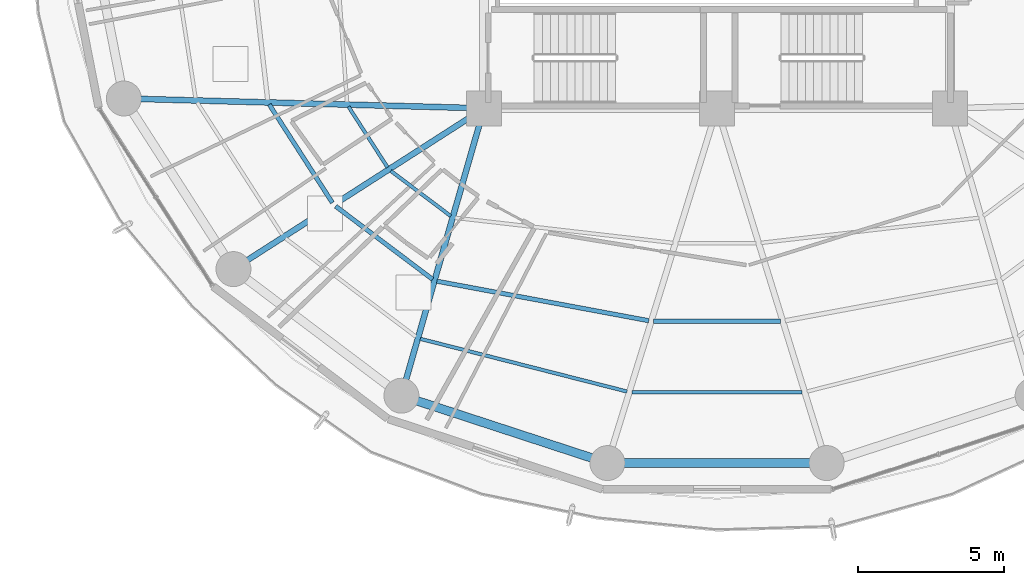
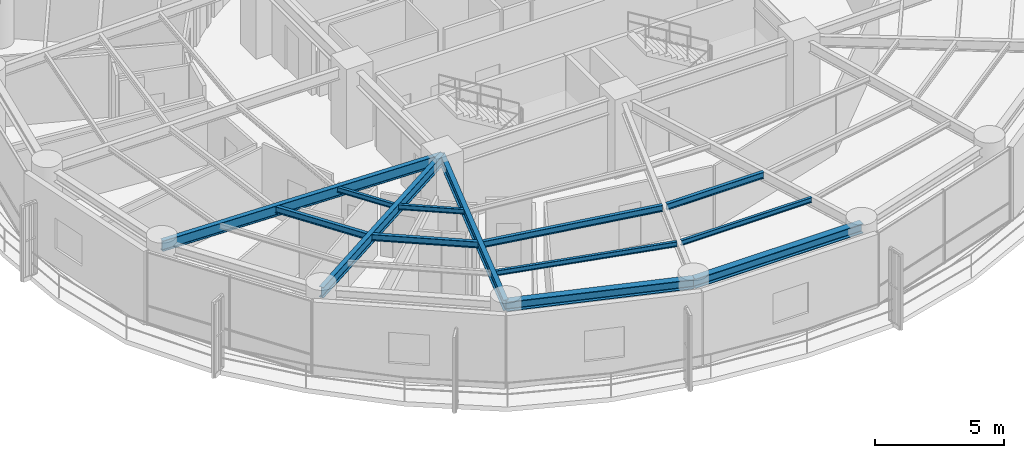
# One storey, part 3 of 27: 13 beams.
"""IFC4 building model written with IfcOpenShell, lengths in metres."""

from ifc_helpers import new_model, si_unit, direction, frame, origin, origin_2d, place, context, subcontext, project, spatial, i_section, extrude, material, material_profile, profile_set, type_object, element, save


model = new_model("IFC4")

# Units and contexts
model_context = context("Model", 3, precision=1e-05, world=origin(), true_north=direction((0.0, 1.0)))
body_context = subcontext(model_context, "Body", "Model", "MODEL_VIEW")
ifc_project = project(units=[si_unit("LENGTHUNIT", "METRE"), si_unit("AREAUNIT", "SQUARE_METRE"), si_unit("VOLUMEUNIT", "CUBIC_METRE"), si_unit("PLANEANGLEUNIT", "RADIAN"), si_unit("MASSUNIT", "GRAM", prefix="KILO")], contexts=[model_context])

# Site, building, storey
site_placement = place(None, origin())
site = spatial("IfcSite", under=ifc_project, at=site_placement, CompositionType="ELEMENT")
building_placement = place(site_placement, origin())
building = spatial("IfcBuilding", under=site, at=building_placement, Name="Kelanora Arch Commons", CompositionType="ELEMENT")
storey_placement = place(building_placement, frame((0.0, 0.0, 165.60009765625)))
storey = spatial("IfcBuildingStorey", under=building, at=storey_placement, Name="L42", CompositionType="ELEMENT", Elevation=165.60009765625)

# Beams
ifc_material = material(Name="Steel S355", Category="steel")
ifc_material_profile_1 = material_profile(ifc_material, i_section(OverallWidth=0.14990234375, OverallDepth=0.300048828125, WebThickness=0.007080078125, FlangeThickness=0.0107421875, FilletRadius=0.014892578125, at=origin_2d()), Name="IPE300")
ifc_profile_set_1 = profile_set([ifc_material_profile_1], Name="Steel S355")
beam_type_1 = type_object("IfcBeamType", Name="BM-JST-01", PredefinedType="JOIST", material=ifc_profile_set_1)
beam_1_placement = place(storey_placement, frame((58.622314453125, 51.130859375, 3.33984375), z_axis=(0.540594434398, -0.841283339606, 0.0), x_axis=(0.841283339606, 0.540594434398, 0.0)))
element("IfcBeam", 1, at=beam_1_placement, inside=storey, type_object=beam_type_1, Name="Secondary Chord Joist BJB-20 L42", PredefinedType="JOIST", context=body_context, shape_type="SweptSolid", body=[
    extrude(i_section(OverallWidth=0.14990234375, OverallDepth=0.300048828125, WebThickness=0.007080078125, FlangeThickness=0.0107421875, FilletRadius=0.014892578125, at=origin_2d()), origin(), (0.0, 0.0, 1.0), 4.008544921875),
])
beam_2_placement = place(storey_placement, frame((60.9033203125, 47.635986328125, 3.33984375), z_axis=(0.798463547891, -0.602043156833, 0.0), x_axis=(0.602043156833, 0.798463547891, 0.0)))
element("IfcBeam", 2, at=beam_2_placement, inside=storey, type_object=beam_type_1, Name="Secondary Chord Joist BJB-22 L42", PredefinedType="JOIST", context=body_context, shape_type="SweptSolid", body=[
    extrude(i_section(OverallWidth=0.14990234375, OverallDepth=0.300048828125, WebThickness=0.007080078125, FlangeThickness=0.0107421875, FilletRadius=0.014892578125, at=origin_2d()), origin(), (0.0, 0.0, 1.0), 4.163818359375),
])
beam_3_placement = place(storey_placement, frame((64.379638671875, 45.062255859375, 3.33984375), z_axis=(0.983054256126, -0.183314837134, 0.0), x_axis=(0.183314837134, 0.983054256126, 0.0)))
element("IfcBeam", 3, at=beam_3_placement, inside=storey, type_object=beam_type_1, Name="Secondary Chord Joist BJB-24 L42", PredefinedType="JOIST", context=body_context, shape_type="SweptSolid", body=[
    extrude(i_section(OverallWidth=0.14990234375, OverallDepth=0.300048828125, WebThickness=0.007080078125, FlangeThickness=0.0107421875, FilletRadius=0.014892578125, at=origin_2d()), origin(), (0.0, 0.0, 1.0), 7.403564453125),
])
beam_4_placement = place(storey_placement, frame((71.826171875, 43.689453125, 3.33984375), z_axis=(1.0, 0.0, 0.0), x_axis=(0.0, 1.0, 0.0)))
element("IfcBeam", 4, at=beam_4_placement, inside=storey, type_object=beam_type_1, Name="Secondary Chord Joist BJB-26 L42", PredefinedType="JOIST", context=body_context, shape_type="SweptSolid", body=[
    extrude(i_section(OverallWidth=0.14990234375, OverallDepth=0.300048828125, WebThickness=0.007080078125, FlangeThickness=0.0107421875, FilletRadius=0.014892578125, at=origin_2d()), origin(), (0.0, 0.0, 1.0), 4.34765625),
])
ifc_material_profile_2 = material_profile(ifc_material, i_section(OverallWidth=0.1201171875, OverallDepth=0.239990234375, WebThickness=0.006103515625, FlangeThickness=0.009765625, FilletRadius=0.014892578125, at=origin_2d()), Name="IPE240")
ifc_profile_set_2 = profile_set([ifc_material_profile_2], Name="Steel S355")
beam_type_2 = type_object("IfcBeamType", Name="BM-JST-02", PredefinedType="JOIST", material=ifc_profile_set_2)
beam_5_placement = place(storey_placement, frame((61.344482421875, 51.056640625, 3.369873046875), z_axis=(0.540583174025, -0.841290575224, 0.0), x_axis=(0.841290575224, 0.540583174025, 0.0)))
element("IfcBeam", 5, at=beam_5_placement, inside=storey, type_object=beam_type_2, Name="Secondary Chord Joist BJA-20 L42", PredefinedType="JOIST", context=body_context, shape_type="SweptSolid", body=[
    extrude(i_section(OverallWidth=0.1201171875, OverallDepth=0.239990234375, WebThickness=0.006103515625, FlangeThickness=0.009765625, FilletRadius=0.014892578125, at=origin_2d()), origin(), (0.0, 0.0, 1.0), 2.476318359375),
])
beam_6_placement = place(storey_placement, frame((62.796875, 48.8505859375, 3.369873046875), z_axis=(0.798484118859, -0.602015873487, 0.0), x_axis=(0.602015873487, 0.798484118859, 0.0)))
element("IfcBeam", 6, at=beam_6_placement, inside=storey, type_object=beam_type_2, Name="Secondary Chord Joist BJA-22 L42", PredefinedType="JOIST", context=body_context, shape_type="SweptSolid", body=[
    extrude(i_section(OverallWidth=0.1201171875, OverallDepth=0.239990234375, WebThickness=0.006103515625, FlangeThickness=0.009765625, FilletRadius=0.014892578125, at=origin_2d()), origin(), (0.0, 0.0, 1.0), 2.57470703125),
])
beam_7_placement = place(storey_placement, frame((63.810302734375, 43.082763671875, 3.369873046875), z_axis=(0.96900232943, -0.247051584815, 0.0), x_axis=(0.247051584815, 0.96900232943, 0.0)))
element("IfcBeam", 7, at=beam_7_placement, inside=storey, type_object=beam_type_2, Name="Secondary Chord Joist BJC-24 L42", PredefinedType="JOIST", context=body_context, shape_type="SweptSolid", body=[
    extrude(i_section(OverallWidth=0.1201171875, OverallDepth=0.239990234375, WebThickness=0.006103515625, FlangeThickness=0.009765625, FilletRadius=0.014892578125, at=origin_2d()), origin(), (0.0, 0.0, 1.0), 7.32275390625),
])
beam_8_placement = place(storey_placement, frame((71.0732421875, 41.252685546875, 3.369873046875), z_axis=(1.0, 0.0, 0.0), x_axis=(0.0, 1.0, 0.0)))
element("IfcBeam", 8, at=beam_8_placement, inside=storey, type_object=beam_type_2, Name="Secondary Chord Joist BJC-26 L42", PredefinedType="JOIST", context=body_context, shape_type="SweptSolid", body=[
    extrude(i_section(OverallWidth=0.1201171875, OverallDepth=0.239990234375, WebThickness=0.006103515625, FlangeThickness=0.009765625, FilletRadius=0.014892578125, at=origin_2d()), origin(), (0.0, 0.0, 1.0), 5.853515625),
])
ifc_material_profile_3 = material_profile(ifc_material, i_section(OverallWidth=0.199951171875, OverallDepth=0.5, WebThickness=0.01025390625, FlangeThickness=0.01611328125, FilletRadius=0.02099609375, at=origin_2d()), Name="IPE500")
ifc_profile_set_3 = profile_set([ifc_material_profile_3], Name="Steel S355")
beam_type_3 = type_object("IfcBeamType", Name="BM-RAD-Z3", PredefinedType="BEAM", material=ifc_profile_set_3)
beam_9_placement = place(storey_placement, frame((66.0, 51.0, 3.239990234375), z_axis=(-0.999628374924, 0.027260081577, 0.0), x_axis=(-0.027260081577, -0.999628374924, 0.0)))
element("IfcBeam", 9, at=beam_9_placement, inside=storey, type_object=beam_type_3, Name="Radial Floor Girder BR-20 L42", PredefinedType="BEAM", context=body_context, shape_type="SweptSolid", body=[
    extrude(i_section(OverallWidth=0.199951171875, OverallDepth=0.5, WebThickness=0.01025390625, FlangeThickness=0.01611328125, FilletRadius=0.02099609375, at=origin_2d()), origin(), (0.0, 0.0, 1.0), 12.377197265625),
])
beam_10_placement = place(storey_placement, frame((66.0, 51.0, 3.239990234375), z_axis=(-0.841719465748, -0.539915123868, 0.0), x_axis=(0.539915123868, -0.841719465748, 0.0)))
element("IfcBeam", 10, at=beam_10_placement, inside=storey, type_object=beam_type_3, Name="Radial Floor Girder BR-22 L42", PredefinedType="BEAM", context=body_context, shape_type="SweptSolid", body=[
    extrude(i_section(OverallWidth=0.199951171875, OverallDepth=0.5, WebThickness=0.01025390625, FlangeThickness=0.01611328125, FilletRadius=0.02099609375, at=origin_2d()), origin(), (0.0, 0.0, 1.0), 10.2265625),
])
beam_11_placement = place(storey_placement, frame((66.0, 51.0, 3.239990234375), z_axis=(-0.276525880065, -0.961006471182, 0.0), x_axis=(0.961006471182, -0.276525880065, 0.0)))
element("IfcBeam", 11, at=beam_11_placement, inside=storey, type_object=beam_type_3, Name="Radial Floor Girder BR-24 L42", PredefinedType="BEAM", context=body_context, shape_type="SweptSolid", body=[
    extrude(i_section(OverallWidth=0.199951171875, OverallDepth=0.5, WebThickness=0.01025390625, FlangeThickness=0.01611328125, FilletRadius=0.02099609375, at=origin_2d()), origin(), (0.0, 0.0, 1.0), 10.2705078125),
])
ifc_material_profile_4 = material_profile(ifc_material, i_section(OverallWidth=0.300048828125, OverallDepth=0.449951171875, WebThickness=0.013916015625, FlangeThickness=0.02587890625, FilletRadius=0.027099609375, at=origin_2d()), Name="HEB450")
ifc_profile_set_4 = profile_set([ifc_material_profile_4], Name="Steel S355")
beam_type_4 = type_object("IfcBeamType", Name="BM-SPN-Z3", PredefinedType="SPANDREL", material=ifc_profile_set_4)
beam_12_placement = place(storey_placement, frame((63.159912109375, 41.1298828125, 3.264892578125), z_axis=(0.950461975786, -0.310840847676, 0.0), x_axis=(0.310840847676, 0.950461975786, 0.0)))
element("IfcBeam", 12, at=beam_12_placement, inside=storey, type_object=beam_type_4, Name="Perimeter Spandrel Beam BS-24 L42", PredefinedType="SPANDREL", context=body_context, shape_type="SweptSolid", body=[
    extrude(i_section(OverallWidth=0.300048828125, OverallDepth=0.449951171875, WebThickness=0.013916015625, FlangeThickness=0.02587890625, FilletRadius=0.027099609375, at=origin_2d()), origin(), (0.0, 0.0, 1.0), 7.444091796875),
])
beam_13_placement = place(storey_placement, frame((70.2353515625, 38.81591796875, 3.264892578125), z_axis=(1.0, 0.0, 0.0), x_axis=(0.0, 1.0, 0.0)))
element("IfcBeam", 13, at=beam_13_placement, inside=storey, type_object=beam_type_4, Name="Perimeter Spandrel Beam BS-26 L42", PredefinedType="SPANDREL", context=body_context, shape_type="SweptSolid", body=[
    extrude(i_section(OverallWidth=0.300048828125, OverallDepth=0.449951171875, WebThickness=0.013916015625, FlangeThickness=0.02587890625, FilletRadius=0.027099609375, at=origin_2d()), origin(), (0.0, 0.0, 1.0), 7.529296875),
])

save(model, "model.ifc")
